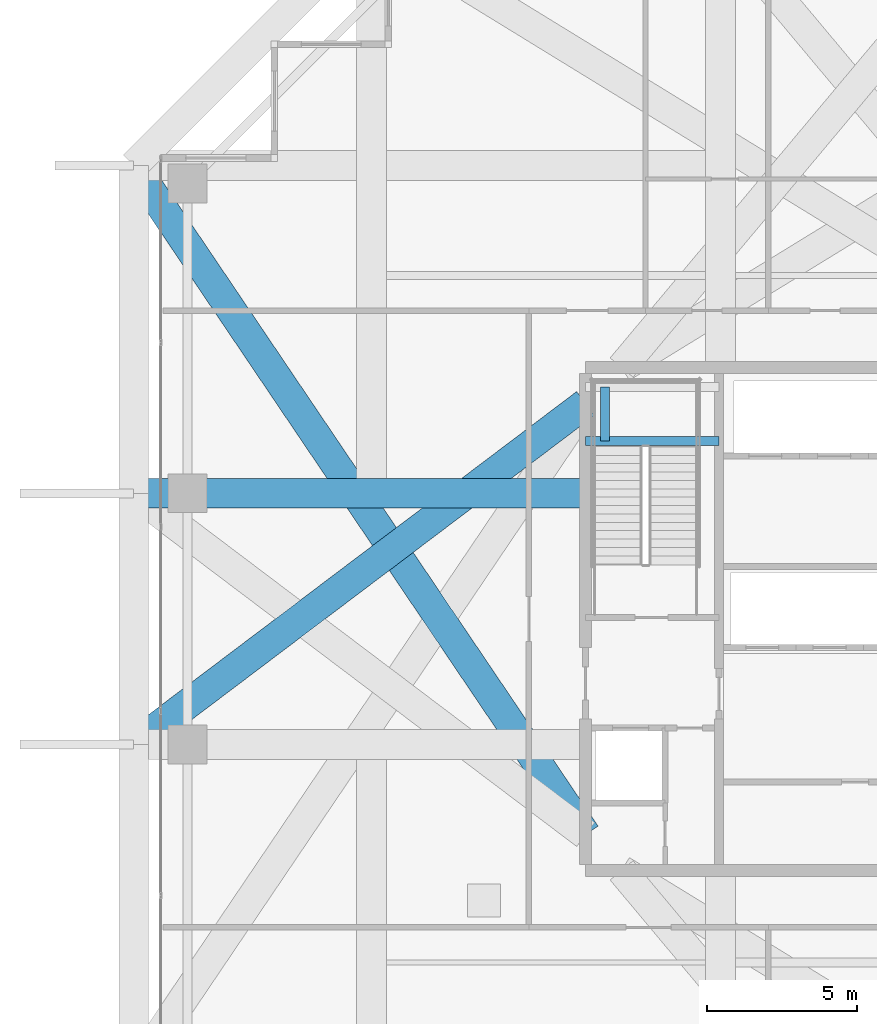
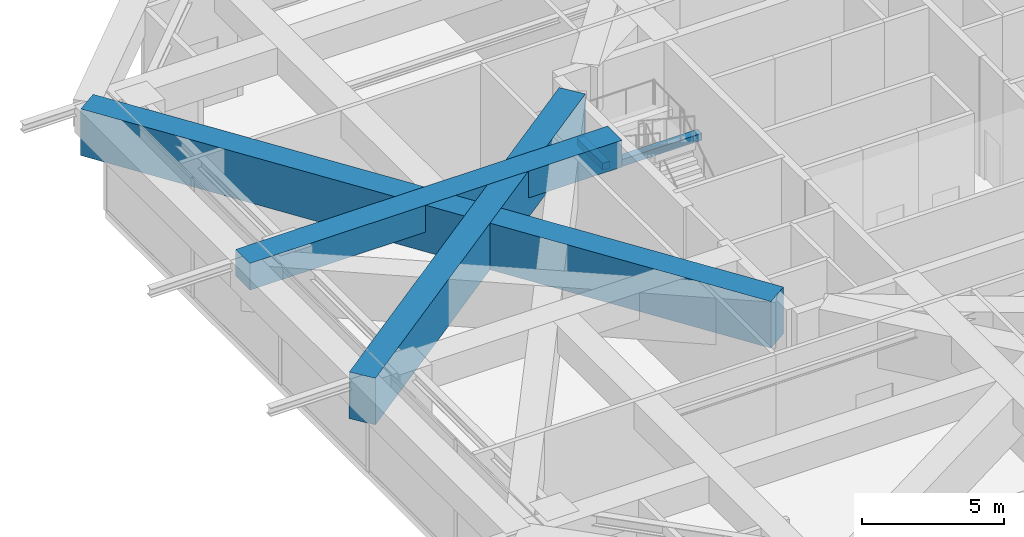
# One storey, part 10 of 38: 5 beams.
"""IFC4 building model written with IfcOpenShell, lengths in metres."""

import ifcopenshell
import ifcopenshell.guid

model = None  # the IFC model being written
_history = None  # IfcOwnerHistory: only IFC2X3 demands one
_inside = {}  # id of a spatial element -> (the spatial element, [elements in it])
_under = {}  # id of a project, library or spatial element -> (it, [spatial elements below it])
_declared = {}  # id of a project -> (the project, [libraries it declares])
_typed = {}  # id of a type object -> (the type object, [elements of that type])
_made_of = {}  # id of a material, layer set ... -> (it, [elements and type objects made of it])


def new_model(schema):
    """Start an empty IFC model of exactly this schema.

    Asked for "IFC4X3", IfcOpenShell would pick the latest addendum, in which some entities
    have other attributes; the version numbers below select the first issue.
    IFC2X3 requires an IfcOwnerHistory on every rooted entity: one is made here for all.
    """
    global model, _history
    if schema == "IFC4X3":
        model = ifcopenshell.file(schema_version=(4, 3, 0, 0))
    else:
        model = ifcopenshell.file(schema=schema)
    _inside.clear()
    _under.clear()
    _declared.clear()
    _typed.clear()
    _made_of.clear()
    _history = None
    if model.schema == "IFC2X3":
        org = make("IfcOrganization", Name="unknown")
        user = make(
            "IfcPersonAndOrganization",
            ThePerson=make("IfcPerson", FamilyName="unknown"),
            TheOrganization=org,
        )
        app = make(
            "IfcApplication",
            ApplicationDeveloper=org,
            Version="unknown",
            ApplicationFullName="unknown",
            ApplicationIdentifier="unknown",
        )
        _history = make(
            "IfcOwnerHistory",
            OwningUser=user,
            OwningApplication=app,
            ChangeAction="ADDED",
            CreationDate=0,
        )
    return model


def make(cls, **values):
    """One entity of the class cls with the attributes given. An attribute that is None is left unset."""
    return model.create_entity(
        cls, **{name: value for name, value in values.items() if value is not None}
    )


def rooted(cls, **values):
    """An entity with a GlobalId (a new one), such as an element, a storey or a relation."""
    return make(cls, GlobalId=ifcopenshell.guid.new(), OwnerHistory=_history, **values)


def si_unit(unit_type, name, prefix=None):
    """IfcSIUnit, for example si_unit("LENGTHUNIT", "METRE", prefix="MILLI")."""
    return make("IfcSIUnit", UnitType=unit_type, Prefix=prefix, Name=name)


def assignment(units):
    """IfcUnitAssignment: the units of a project."""
    return None if units is None else make("IfcUnitAssignment", Units=units)


def point(xyz):
    """IfcCartesianPoint."""
    return None if xyz is None else make("IfcCartesianPoint", Coordinates=xyz)


def direction(xyz):
    """IfcDirection."""
    return None if xyz is None else make("IfcDirection", DirectionRatios=xyz)


def frame(location, z_axis=None, x_axis=None):
    """IfcAxis2Placement3D, a coordinate frame: its origin and axes. An axis left out is left unset."""
    return make(
        "IfcAxis2Placement3D",
        Location=point(location),
        Axis=direction(z_axis),
        RefDirection=direction(x_axis),
    )


def frame_2d(location, x_axis=None):
    """IfcAxis2Placement2D, a coordinate frame in the plane: its origin and x axis."""
    return make(
        "IfcAxis2Placement2D", Location=point(location), RefDirection=direction(x_axis)
    )


def origin():
    """The frame at (0, 0, 0) with its axes left unset."""
    return frame((0.0, 0.0, 0.0))


def origin_2d():
    """The frame at (0, 0) in the plane with its x axis left unset."""
    return frame_2d((0.0, 0.0))


def place(relative_to, where):
    """IfcLocalPlacement: puts the frame where relative to a parent placement (None: the world)."""
    return make(
        "IfcLocalPlacement", PlacementRelTo=relative_to, RelativePlacement=where
    )


def context(
    kind, dimensions, precision=None, world=None, true_north=None, identifier=None
):
    """IfcGeometricRepresentationContext, for example the 3D "Model" context."""
    return make(
        "IfcGeometricRepresentationContext",
        ContextIdentifier=identifier,
        ContextType=kind,
        CoordinateSpaceDimension=dimensions,
        Precision=precision,
        WorldCoordinateSystem=world,
        TrueNorth=true_north,
    )


def subcontext(parent, identifier, kind, view, scale=None):
    """IfcGeometricRepresentationSubContext, for example "Body" below "Model"."""
    return make(
        "IfcGeometricRepresentationSubContext",
        ContextIdentifier=identifier,
        ContextType=kind,
        ParentContext=parent,
        TargetScale=scale,
        TargetView=view,
    )


def project(units=None, contexts=None):
    """IfcProject with its units and contexts."""
    return rooted(
        "IfcProject",
        Name="project",
        RepresentationContexts=contexts,
        UnitsInContext=assignment(units),
    )


def spatial(cls, under=None, at=None, **own):
    """A site, building, storey or space (cls), placed at a placement, below another one or the project."""
    s = rooted(cls, ObjectPlacement=at, **own)
    if under is not None:
        _under.setdefault(under.id(), (under, []))[1].append(s)
    return s


def profile(cls, at=None, kind="AREA", **sizes):
    """A parametric profile (cls). Its sizes go by their IFC names, for example OverallWidth=200.0."""
    return make(cls, ProfileType=kind, Position=at, **sizes)


def rectangle(**sizes):
    """IfcRectangleProfileDef."""
    return profile("IfcRectangleProfileDef", **sizes)


def extrude(swept, where, along, depth):
    """IfcExtrudedAreaSolid: the profile swept, set in the frame where, extruded along a direction by depth."""
    return make(
        "IfcExtrudedAreaSolid",
        SweptArea=swept,
        Position=where,
        ExtrudedDirection=direction(along),
        Depth=depth,
    )


def shape(context_of_items, identifier, shape_type, items):
    """IfcShapeRepresentation: the items that make up one representation, for example the "Body"."""
    return make(
        "IfcShapeRepresentation",
        ContextOfItems=context_of_items,
        RepresentationIdentifier=identifier,
        RepresentationType=shape_type,
        Items=items,
    )


def source(mapping_origin, context_of_items, identifier, shape_type, items):
    """IfcRepresentationMap: a shape defined once, which mapped items show again and again."""
    return make(
        "IfcRepresentationMap",
        MappingOrigin=mapping_origin,
        MappedRepresentation=shape(context_of_items, identifier, shape_type, items),
    )


def transform(
    local_origin,
    x_axis=None,
    y_axis=None,
    z_axis=None,
    scale=None,
    scale2=None,
    scale3=None,
    uniform=True,
):
    """IfcCartesianTransformationOperator3D, or its non-uniform kind. x_axis, y_axis, z_axis: its Axis1, 2, 3."""
    if uniform:
        return make(
            "IfcCartesianTransformationOperator3D",
            Axis1=direction(x_axis),
            Axis2=direction(y_axis),
            LocalOrigin=point(local_origin),
            Scale=scale,
            Axis3=direction(z_axis),
        )
    return make(
        "IfcCartesianTransformationOperator3DnonUniform",
        Axis1=direction(x_axis),
        Axis2=direction(y_axis),
        LocalOrigin=point(local_origin),
        Scale=scale,
        Axis3=direction(z_axis),
        Scale2=scale2,
        Scale3=scale3,
    )


def mapped(mapping_source, mapping_target):
    """IfcMappedItem: shows the shape of a source again, moved by a transform."""
    return make(
        "IfcMappedItem", MappingSource=mapping_source, MappingTarget=mapping_target
    )


def material(Name=None, Category=None):
    """IfcMaterial."""
    return make("IfcMaterial", Name=Name, Category=Category)


def material_profile(
    of_material, cross_section, Name=None, Category=None, Priority=None
):
    """IfcMaterialProfile: a cross section and its material."""
    return make(
        "IfcMaterialProfile",
        Name=Name,
        Material=of_material,
        Profile=cross_section,
        Priority=Priority,
        Category=Category,
    )


def profile_set(profiles, Name=None, composite=None):
    """IfcMaterialProfileSet."""
    return make(
        "IfcMaterialProfileSet",
        Name=Name,
        MaterialProfiles=profiles,
        CompositeProfile=composite,
    )


def made_of(thing, what):
    """Note that an element or type object is made of a material, layer set ...; save() writes the relation."""
    if what is not None:
        _made_of.setdefault(what.id(), (what, []))[1].append(thing)
    return thing


def type_object(cls, material=None, **own):
    """A type object (cls), such as IfcWallType, which elements share."""
    return made_of(rooted(cls, **own), material)


def element(
    cls,
    number,
    at=None,
    inside=None,
    cuts=None,
    type_object=None,
    material=None,
    context=None,
    identifier="Body",
    shape_type=None,
    held_by="IfcProductDefinitionShape",
    body=None,
    shapes=None,
    **own,
):
    """One element of the class cls, such as IfcWall. Its Tag is "e" and its number.

    at: its placement. inside: the storey or other place that contains it. cuts: it is an
    opening in that element (IfcRelVoidsElement). A single representation is given by context,
    identifier, shape_type and body (its items); several are given by shapes. held_by: the class
    of the entity that holds the representations. save() writes the other relations.
    """
    e = rooted(cls, Tag="e%d" % number, ObjectPlacement=at, **own)
    if body is not None:
        shapes = [shape(context, identifier, shape_type, body)]
    if shapes is not None:
        e.Representation = make(held_by, Representations=shapes)
    if inside is not None:
        _inside.setdefault(inside.id(), (inside, []))[1].append(e)
    if cuts is not None:
        rooted(
            "IfcRelVoidsElement", RelatingBuildingElement=cuts, RelatedOpeningElement=e
        )
    if type_object is not None:
        _typed.setdefault(type_object.id(), (type_object, []))[1].append(e)
    return made_of(e, material)


def aggregate(whole, parts):
    """IfcRelAggregates: a whole, such as a stair, and the parts it consists of."""
    return rooted("IfcRelAggregates", RelatingObject=whole, RelatedObjects=parts)


def save(model, path):
    """Write the relations noted so far, then the file.

    IfcRelAggregates (storeys below a building ...), IfcRelContainedInSpatialStructure (elements
    in a storey), IfcRelDefinesByType, IfcRelAssociatesMaterial and IfcRelDeclares: one each for
    every whole, place, type object, material and project.
    """
    for whole, parts in _under.values():
        aggregate(whole, parts)
    for where, things in _inside.values():
        rooted(
            "IfcRelContainedInSpatialStructure",
            RelatedElements=things,
            RelatingStructure=where,
        )
    for kind, things in _typed.values():
        rooted("IfcRelDefinesByType", RelatedObjects=things, RelatingType=kind)
    for what, things in _made_of.values():
        rooted("IfcRelAssociatesMaterial", RelatedObjects=things, RelatingMaterial=what)
    for by, libraries in _declared.values():
        rooted("IfcRelDeclares", RelatingContext=by, RelatedDefinitions=libraries)
    model.write(path)


model = new_model("IFC4")

# Units and contexts
model_context = context("Model", 3, precision=1e-05, world=origin(), true_north=direction((0.0, 1.0)))
body_context = subcontext(model_context, "Body", "Model", "MODEL_VIEW")
ifc_project = project(units=[si_unit("LENGTHUNIT", "METRE"), si_unit("AREAUNIT", "SQUARE_METRE"), si_unit("VOLUMEUNIT", "CUBIC_METRE"), si_unit("PLANEANGLEUNIT", "RADIAN"), si_unit("MASSUNIT", "GRAM", prefix="KILO")], contexts=[model_context])

# Site, building, storey
site_placement = place(None, origin())
site = spatial("IfcSite", under=ifc_project, at=site_placement, CompositionType="ELEMENT")
building_placement = place(site_placement, origin())
building = spatial("IfcBuilding", under=site, at=building_placement, Name="Serunith Strait Residences", CompositionType="ELEMENT")
storey_placement = place(building_placement, frame((0.0, 0.0, 204.89990234375)))
storey = spatial("IfcBuildingStorey", under=building, at=storey_placement, Name="L51", CompositionType="ELEMENT", Elevation=204.89990234375)

# Beams
ifc_material_1 = material(Name="Concrete C80/95", Category="concrete")
ifc_material_profile_1 = material_profile(ifc_material_1, rectangle(XDim=1.0, YDim=1.14990234375, at=origin_2d()), Name="RC 1000x1150")
ifc_profile_set_1 = profile_set([ifc_material_profile_1], Name="Concrete C80/95")
beam_type_1 = type_object("IfcBeamType", Name="BM-XFER-1000x1150", PredefinedType="BEAM", material=ifc_profile_set_1)
shared_shape_1 = source(origin(), body_context, "Body", "SweptSolid", [
    extrude(rectangle(XDim=1.0, YDim=1.14990234375, at=origin_2d()), origin(), (0.0, 0.0, 1.0), 15.099853515625),
])
beam_1_placement = place(storey_placement, frame((23.39990234375, 29.39990234375, 4.53515625), z_axis=(-1.0, 0.0, 0.0), x_axis=(0.0, -1.0, 0.0)))
element("IfcBeam", 1, at=beam_1_placement, inside=storey, type_object=beam_type_1, Name="L51 Primary Floor Girder TC-W3", PredefinedType="BEAM", context=body_context, shape_type="MappedRepresentation", body=[
    mapped(shared_shape_1, transform((0.0, 0.0, 0.0), scale=1.0)),
])
ifc_material_profile_2 = material_profile(ifc_material_1, rectangle(XDim=1.0, YDim=2.0, at=origin_2d()), Name="RC 1000x2000")
ifc_profile_set_2 = profile_set([ifc_material_profile_2], Name="Concrete C80/95")
beam_type_2 = type_object("IfcBeamType", Name="BM-XFER-1000x2000", PredefinedType="BEAM", material=ifc_profile_set_2)
shared_shape_2 = source(origin(), body_context, "Body", "SweptSolid", [
    extrude(rectangle(XDim=1.0, YDim=2.0, at=origin_2d()), origin(), (0.0, 0.0, 1.0), 26.972900390625),
])
beam_2_placement = place(storey_placement, frame((23.39990234375, 18.0, 4.110107421875), z_axis=(-0.559817605526, 0.828615863077, 0.0), x_axis=(-0.828615863077, -0.559817605526, 0.0)))
element("IfcBeam", 2, at=beam_2_placement, inside=storey, type_object=beam_type_2, Name="L51 Flare Transfer Girder TC-W4", PredefinedType="BEAM", context=body_context, shape_type="MappedRepresentation", body=[
    mapped(shared_shape_2, transform((0.0, 0.0, 0.0), scale=1.0)),
])
shared_shape_3 = source(origin(), body_context, "Body", "SweptSolid", [
    extrude(rectangle(XDim=1.0, YDim=2.0, at=origin_2d()), origin(), (0.0, 0.0, 1.0), 18.919921875),
])
beam_3_placement = place(storey_placement, frame((23.39990234375, 32.39990234375, 4.110107421875), z_axis=(-0.798092909707, -0.602534403561, 0.0), x_axis=(0.602534403561, -0.798092909707, 0.0)))
element("IfcBeam", 3, at=beam_3_placement, inside=storey, type_object=beam_type_2, Name="L51 Flare Transfer Girder TC-W2", PredefinedType="BEAM", context=body_context, shape_type="MappedRepresentation", body=[
    mapped(shared_shape_3, transform((0.0, 0.0, 0.0), scale=1.0)),
])
ifc_material_2 = material(Name="Concrete C60/75", Category="concrete")
ifc_material_profile_3 = material_profile(ifc_material_2, rectangle(XDim=0.300048828125, YDim=0.300048828125, at=origin_2d()), Name="RC 300x300")
ifc_profile_set_3 = profile_set([ifc_material_profile_3], Name="Concrete C60/75")
beam_type_3 = type_object("IfcBeamType", Name="BM-LAND-300x300", PredefinedType="BEAM", material=ifc_profile_set_3)
shared_shape_4 = source(origin(), body_context, "Body", "SweptSolid", [
    extrude(rectangle(XDim=0.300048828125, YDim=0.300048828125, at=origin_2d()), origin(), (0.0, 0.0, 1.0), 4.4501953125),
])
beam_4_placement = place(storey_placement, frame((23.39990234375, 31.14990234375, 2.425048828125), z_axis=(1.0, 0.0, 0.0), x_axis=(0.0, 1.0, 0.0)))
element("IfcBeam", 4, at=beam_4_placement, inside=storey, type_object=beam_type_3, Name="L51 ST-1 Landing Support Beam 1", PredefinedType="BEAM", context=body_context, shape_type="MappedRepresentation", body=[
    mapped(shared_shape_4, transform((0.0, 0.0, 0.0), scale=1.0)),
])
shared_shape_5 = source(origin(), body_context, "Body", "SweptSolid", [
    extrude(rectangle(XDim=0.300048828125, YDim=0.300048828125, at=origin_2d()), origin(), (0.0, 0.0, 1.0), 1.800048828125),
])
beam_5_placement = place(storey_placement, frame((24.050048828125, 31.14990234375, 2.425048828125), z_axis=(0.0, 1.0, 0.0), x_axis=(-1.0, 0.0, 0.0)))
element("IfcBeam", 5, at=beam_5_placement, inside=storey, type_object=beam_type_3, Name="L51 ST-1 Landing Transverse Tie Beam", PredefinedType="BEAM", context=body_context, shape_type="MappedRepresentation", body=[
    mapped(shared_shape_5, transform((0.0, 0.0, 0.0), scale=1.0)),
])

save(model, "model.ifc")
